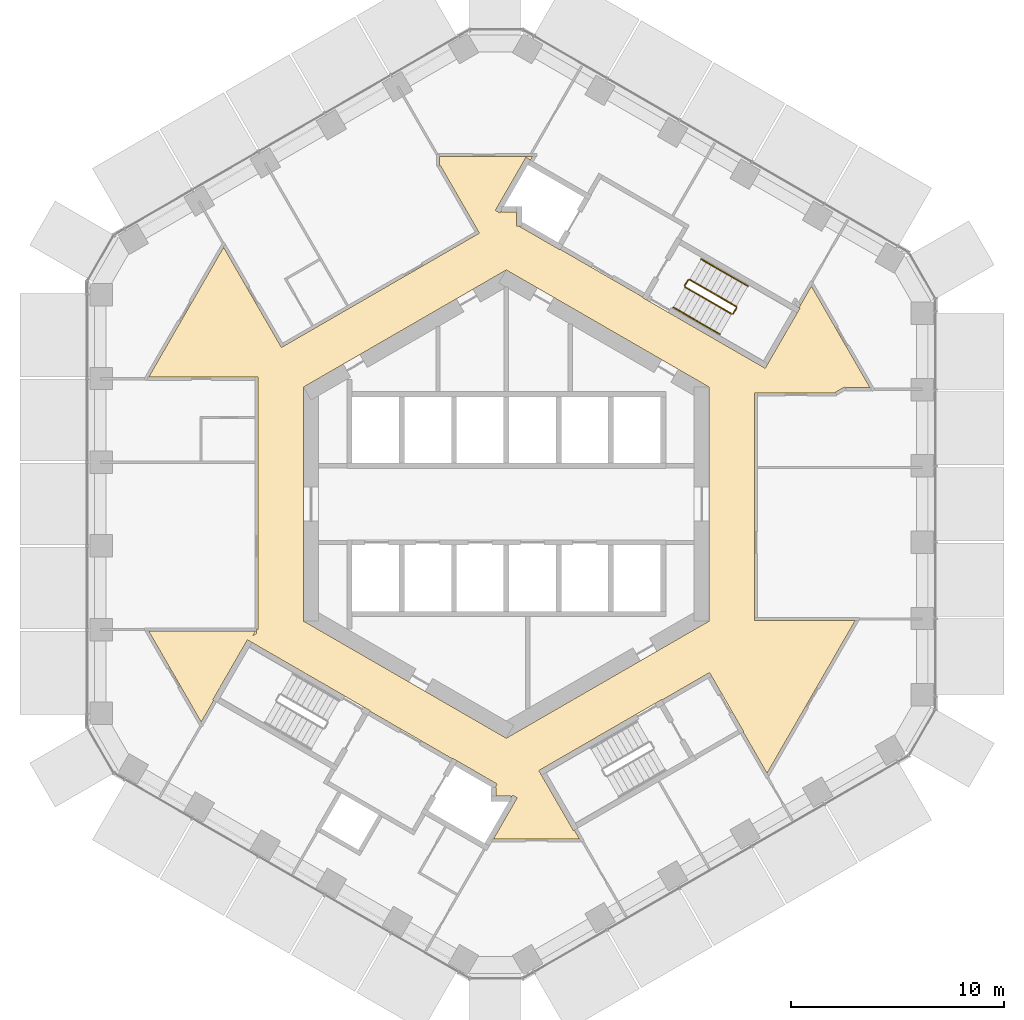
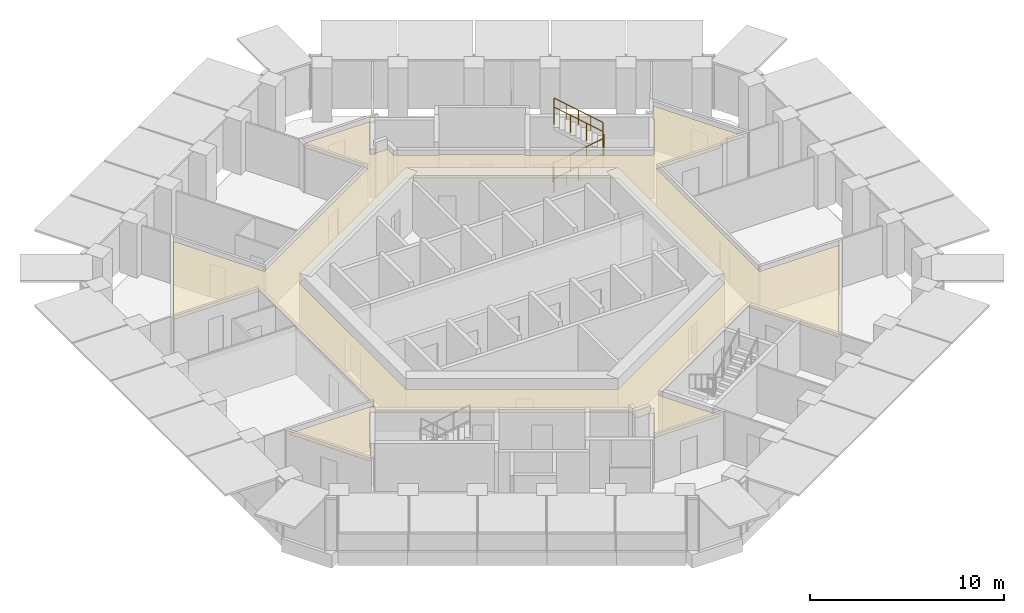
# One storey, part 18 of 18: 8 railings, 1 covering.
"""IFC4 building model written with IfcOpenShell, lengths in metres."""

from ifc_helpers import new_model, si_unit, direction, frame, origin, origin_2d, place, context, subcontext, project, spatial, polyline, circle, outline, extrude, material, layer, layer_set, type_object, element, save


model = new_model("IFC4")

# Units and contexts
model_context = context("Model", 3, precision=1e-05, world=origin(), true_north=direction((0.0, 1.0)))
body_context = subcontext(model_context, "Body", "Model", "MODEL_VIEW")
ifc_project = project(units=[si_unit("LENGTHUNIT", "METRE"), si_unit("AREAUNIT", "SQUARE_METRE"), si_unit("VOLUMEUNIT", "CUBIC_METRE"), si_unit("PLANEANGLEUNIT", "RADIAN"), si_unit("MASSUNIT", "GRAM", prefix="KILO")], contexts=[model_context])

# Site, building, storey
site_placement = place(None, origin())
site = spatial("IfcSite", under=ifc_project, at=site_placement, CompositionType="ELEMENT")
building_placement = place(site_placement, origin())
building = spatial("IfcBuilding", under=site, at=building_placement, Name="Ayvan Gate Tower", CompositionType="ELEMENT")
storey_placement = place(building_placement, frame((0.0, 0.0, 110.300048828125)))
storey = spatial("IfcBuildingStorey", under=building, at=storey_placement, Name="L29", CompositionType="ELEMENT", Elevation=110.300048828125)

# Covering
ifc_material_1 = material(Name="Plasterboard suspended ceiling")
ifc_layer = layer(ifc_material_1, 0.050048828125)
ifc_layer_set = layer_set([ifc_layer], Name="Plasterboard suspended ceiling")
covering_type = type_object("IfcCoveringType", Name="CT-SUSP-50", PredefinedType="CEILING", material=ifc_layer_set)
covering_placement = place(storey_placement, frame((0.0, 0.0, 2.699951171875)))
element("IfcCovering", 1, at=covering_placement, inside=storey, type_object=covering_type, Name="Ceiling Ring Corridor L29", PredefinedType="CEILING", context=body_context, shape_type="SweptSolid", body=[
    extrude(outline(polyline([(-11.914794921875, -6.48681640625), (-12.131103515625, -6.36181640625), (-13.756103515625, -9.17626953125), (-13.712890625, -9.201416015625), (-14.296142578125, -10.2119140625), (-16.756591796875, -5.9501953125), (-11.749267578125, -5.9501953125), (-11.870849609375, -6.160888671875), (-11.699951171875, -6.062255859375), (-11.699951171875, -5.875244140625), (-11.625, -5.875244140625), (-11.625, 5.9501953125), (-16.756591796875, 5.9501953125), (-13.24658203125, 12.02978515625), (-10.538330078125, 7.339111328125), (-10.408203125, 7.4140625), (-1.260009765625, 12.69580078125), (-1.3349609375, 12.825927734375), (-3.097412109375, 15.87890625), (-3.125, 15.863037109375), (-3.125, 16.287841796875), (1.234375, 16.287841796875), (1.135498046875, 16.116455078125), (0.918701171875, 16.241455078125), (-0.511474609375, 13.76416015625), (-0.294921875, 13.63916015625), (-0.215576171875, 13.776611328125), (-0.215576171875, 13.68505859375), (0.47509765625, 13.68505859375), (0.47509765625, 13.03857421875), (0.672119140625, 13.03857421875), (0.645751953125, 12.992919921875), (2.518310546875, 11.91162109375), (2.53076171875, 11.933349609375), (6.384521484375, 9.70849609375), (6.3720703125, 9.686767578125), (6.588623046875, 9.561767578125), (12.131103515625, 6.36181640625), (12.24609375, 6.56103515625), (13.631103515625, 8.959716796875), (13.756103515625, 9.176513671875), (13.681396484375, 9.219482421875), (13.7919921875, 9.283447265625), (13.744384765625, 9.365966796875), (13.7919921875, 9.33837890625), (14.296142578125, 10.211669921875), (17.04150390625, 5.456787109375), (15.896484375, 5.456787109375), (15.896484375, 5.402099609375), (15.84912109375, 5.484375), (15.416015625, 5.234375), (15.431884765625, 5.206787109375), (11.625, 5.206787109375), (11.625, -5.456787109375), (16.3486328125, -5.456787109375), (12.2177734375, -12.61181640625), (11.102294921875, -10.6796875), (11.123779296875, -10.667236328125), (9.623779296875, -8.069091796875), (9.52392578125, -7.89599609375), (7.2939453125, -9.183349609375), (7.281494140625, -9.16162109375), (1.522216796875, -12.48681640625), (1.647216796875, -12.703369140625), (3.147216796875, -15.30126953125), (3.190673828125, -15.2763671875), (3.427490234375, -15.686767578125), (-0.5986328125, -15.686767578125), (0.511474609375, -13.76416015625), (0.294921875, -13.63916015625), (0.215576171875, -13.776611328125), (0.215576171875, -13.68505859375), (-0.47509765625, -13.68505859375), (-0.47509765625, -13.28857421875), (-0.52783203125, -13.28857421875), (-0.42919921875, -13.117919921875), (-2.284423828125, -12.046630859375), (-2.518310546875, -11.91162109375), (-2.53076171875, -11.933349609375), (-6.384521484375, -9.70849609375), (-6.3720703125, -9.686767578125), (-11.91455078125, -6.48681640625), (-11.914794921875, -6.48681640625)]), holes=[polyline([(9.5, 5.48486328125), (8.771728515625, 5.9052734375), (0.0, 10.9697265625), (-8.771728515625, 5.9052734375), (-9.5, 5.48486328125), (-9.5, -5.48486328125), (-8.771728515625, -5.9052734375), (0.0, -10.9697265625), (8.38720703125, -6.127197265625), (8.771728515625, -5.9052734375), (9.5, -5.48486328125), (9.5, 5.48486328125)])]), origin(), (0.0, 0.0, 1.0), 0.050048828125),
])

# Railings
ifc_material_2 = material(Name="Stainless steel balustrade", Category="steel")
railing_type_1 = type_object("IfcRailingType", Name="RL-GUARD-1100", PredefinedType="GUARDRAIL", material=ifc_material_2)
railing_1_placement = place(storey_placement, frame((8.381103515625, 10.16650390625, 0.169921875)))
element("IfcRailing", 2, at=railing_1_placement, inside=storey, type_object=railing_type_1, Name="L29 STS1 stair guard 1", PredefinedType="GUARDRAIL", context=body_context, shape_type="SweptSolid", body=[
    extrude(circle(Radius=0.02392578125, at=origin_2d()), frame((0.0, 0.0, 1.076171875), z_axis=(0.740261155115, -0.427395438142, 0.518986090067), x_axis=(0.500004791531, 0.866022637375, 0.0)), (0.0, 0.0, 1.0), 2.947998046875),
    extrude(circle(Radius=0.02099609375, at=origin_2d()), origin(), (0.0, 0.0, 1.0), 1.052001953125),
    extrude(circle(Radius=0.02099609375, at=origin_2d()), frame((0.7275390625, -0.419921875, 0.510009765625)), (0.0, 0.0, 1.0), 1.052001953125),
    extrude(circle(Radius=0.02099609375, at=origin_2d()), frame((1.454833984375, -0.840087890625, 1.02001953125)), (0.0, 0.0, 1.0), 1.052001953125),
    extrude(circle(Radius=0.02099609375, at=origin_2d()), frame((2.182373046875, -1.260009765625, 1.530029296875)), (0.0, 0.0, 1.0), 1.052001953125),
])
railing_2_placement = place(storey_placement, frame((10.6318359375, 8.9248046875, 1.699951171875)))
element("IfcRailing", 3, at=railing_2_placement, inside=storey, type_object=railing_type_1, Name="L29 STS1 stair guard 2", PredefinedType="GUARDRAIL", context=body_context, shape_type="SweptSolid", body=[
    extrude(circle(Radius=0.02392578125, at=origin_2d()), frame((0.0, 0.0, 1.076171875), z_axis=(0.499949632511, 0.866054481515, 0.0), x_axis=(-0.866054481515, 0.499949632511, 0.0)), (0.0, 0.0, 1.0), 0.31005859375),
    extrude(circle(Radius=0.02099609375, at=origin_2d()), origin(), (0.0, 0.0, 1.0), 1.052001953125),
    extrude(circle(Radius=0.02099609375, at=origin_2d()), frame((0.155029296875, 0.2685546875, 0.0)), (0.0, 0.0, 1.0), 1.052001953125),
])
railing_3_placement = place(storey_placement, frame((10.7685546875, 9.261474609375, 1.869873046875)))
element("IfcRailing", 4, at=railing_3_placement, inside=storey, type_object=railing_type_1, Name="L29 STS1 stair guard 3", PredefinedType="GUARDRAIL", context=body_context, shape_type="SweptSolid", body=[
    extrude(circle(Radius=0.02392578125, at=origin_2d()), frame((0.0, 0.0, 1.076171875), z_axis=(-0.740261155115, 0.427395438142, 0.518986090067), x_axis=(-0.500004791531, -0.866022637375, 0.0)), (0.0, 0.0, 1.0), 2.947998046875),
    extrude(circle(Radius=0.02099609375, at=origin_2d()), origin(), (0.0, 0.0, 1.0), 1.052001953125),
    extrude(circle(Radius=0.02099609375, at=origin_2d()), frame((-0.7275390625, 0.419921875, 0.510009765625)), (0.0, 0.0, 1.0), 1.052001953125),
    extrude(circle(Radius=0.02099609375, at=origin_2d()), frame((-1.454833984375, 0.840087890625, 1.02001953125)), (0.0, 0.0, 1.0), 1.052001953125),
    extrude(circle(Radius=0.02099609375, at=origin_2d()), frame((-2.182373046875, 1.260009765625, 1.530029296875)), (0.0, 0.0, 1.0), 1.052001953125),
])
railing_4_placement = place(storey_placement, frame((8.36279296875, 10.23486328125, 0.0)))
element("IfcRailing", 5, at=railing_4_placement, inside=storey, type_object=railing_type_1, Name="L29 STS1 stair guard 4", PredefinedType="GUARDRAIL", context=body_context, shape_type="SweptSolid", body=[
    extrude(circle(Radius=0.02392578125, at=origin_2d()), frame((0.0, 0.0, 1.076171875), z_axis=(0.500290723946, 0.86585748916, 0.0), x_axis=(-0.86585748916, 0.500290723946, 0.0)), (0.0, 0.0, 1.0), 0.309814453125),
    extrude(circle(Radius=0.02099609375, at=origin_2d()), origin(), (0.0, 0.0, 1.0), 1.052001953125),
    extrude(circle(Radius=0.02099609375, at=origin_2d()), frame((0.155029296875, 0.268310546875, 0.0)), (0.0, 0.0, 1.0), 1.052001953125),
])
railing_type_2 = type_object("IfcRailingType", Name="RL-HANDRAIL-900", PredefinedType="HANDRAIL", material=ifc_material_2)
railing_5_placement = place(storey_placement, frame((7.8310546875, 9.2138671875, 0.169921875)))
element("IfcRailing", 6, at=railing_5_placement, inside=storey, type_object=railing_type_2, Name="L29 STS1 stair handrail 1", PredefinedType="HANDRAIL", context=body_context, shape_type="SweptSolid", body=[
    extrude(circle(Radius=0.02392578125, at=origin_2d()), frame((0.0, 0.0, 0.8759765625), z_axis=(0.740292964666, -0.42728318766, 0.519033143459), x_axis=(0.499890179513, 0.866088799389, 0.0)), (0.0, 0.0, 1.0), 1.47412109375),
    extrude(circle(Radius=0.02099609375, at=origin_2d()), origin(), (0.0, 0.0, 1.0), 0.851806640625),
    extrude(circle(Radius=0.02099609375, at=origin_2d()), frame((0.545654296875, -0.31494140625, 0.382568359375)), (0.0, 0.0, 1.0), 0.851806640625),
    extrude(circle(Radius=0.02099609375, at=origin_2d()), frame((1.09130859375, -0.6298828125, 0.76513671875)), (0.0, 0.0, 1.0), 0.851806640625),
])
railing_6_placement = place(storey_placement, frame((8.92236328125, 8.583984375, 0.93505859375)))
element("IfcRailing", 7, at=railing_6_placement, inside=storey, type_object=railing_type_2, Name="L29 STS1 stair handrail 2", PredefinedType="HANDRAIL", context=body_context, shape_type="SweptSolid", body=[
    extrude(circle(Radius=0.02392578125, at=origin_2d()), frame((0.0, 0.0, 0.8759765625), z_axis=(0.740229329464, -0.427507697325, 0.518939021976), x_axis=(0.50011940292, 0.865956455501, 0.0)), (0.0, 0.0, 1.0), 1.473876953125),
    extrude(circle(Radius=0.02099609375, at=origin_2d()), origin(), (0.0, 0.0, 1.0), 0.851806640625),
    extrude(circle(Radius=0.02099609375, at=origin_2d()), frame((0.54541015625, -0.31494140625, 0.38232421875)), (0.0, 0.0, 1.0), 0.851806640625),
    extrude(circle(Radius=0.02099609375, at=origin_2d()), frame((1.091064453125, -0.630126953125, 0.764892578125)), (0.0, 0.0, 1.0), 0.851806640625),
])
railing_7_placement = place(storey_placement, frame((11.318603515625, 10.214111328125, 1.869873046875)))
element("IfcRailing", 8, at=railing_7_placement, inside=storey, type_object=railing_type_2, Name="L29 STS1 stair handrail 3", PredefinedType="HANDRAIL", context=body_context, shape_type="SweptSolid", body=[
    extrude(circle(Radius=0.02392578125, at=origin_2d()), frame((0.0, 0.0, 0.8759765625), z_axis=(-0.740240574041, 0.427418550694, 0.518996411419), x_axis=(-0.500035496587, -0.86600490885, 0.0)), (0.0, 0.0, 1.0), 1.474365234375),
    extrude(circle(Radius=0.02099609375, at=origin_2d()), origin(), (0.0, 0.0, 1.0), 0.851806640625),
    extrude(circle(Radius=0.02099609375, at=origin_2d()), frame((-0.545654296875, 0.31494140625, 0.382568359375)), (0.0, 0.0, 1.0), 0.851806640625),
    extrude(circle(Radius=0.02099609375, at=origin_2d()), frame((-1.09130859375, 0.630126953125, 0.76513671875)), (0.0, 0.0, 1.0), 0.851806640625),
])
railing_8_placement = place(storey_placement, frame((10.227294921875, 10.84423828125, 2.635009765625)))
element("IfcRailing", 9, at=railing_8_placement, inside=storey, type_object=railing_type_2, Name="L29 STS1 stair handrail 4", PredefinedType="HANDRAIL", context=body_context, shape_type="SweptSolid", body=[
    extrude(circle(Radius=0.02392578125, at=origin_2d()), frame((0.0, 0.0, 0.8759765625), z_axis=(-0.740356597536, 0.427319915356, 0.518912129772), x_axis=(-0.499890179513, -0.866088799389, 0.0)), (0.0, 0.0, 1.0), 1.47412109375),
    extrude(circle(Radius=0.02099609375, at=origin_2d()), origin(), (0.0, 0.0, 1.0), 0.851806640625),
    extrude(circle(Radius=0.02099609375, at=origin_2d()), frame((-0.545654296875, 0.31494140625, 0.38232421875)), (0.0, 0.0, 1.0), 0.851806640625),
    extrude(circle(Radius=0.02099609375, at=origin_2d()), frame((-1.09130859375, 0.6298828125, 0.764892578125)), (0.0, 0.0, 1.0), 0.851806640625),
])

save(model, "model.ifc")
